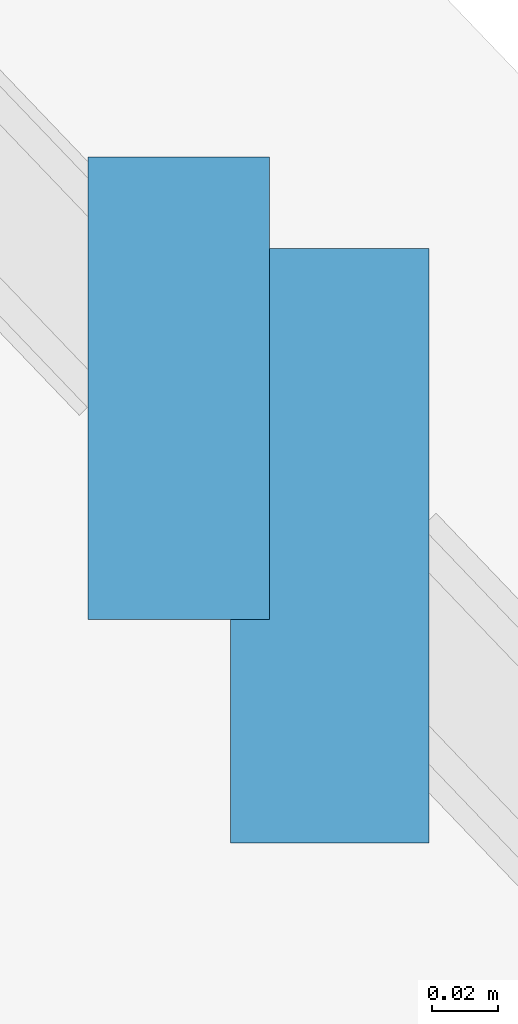
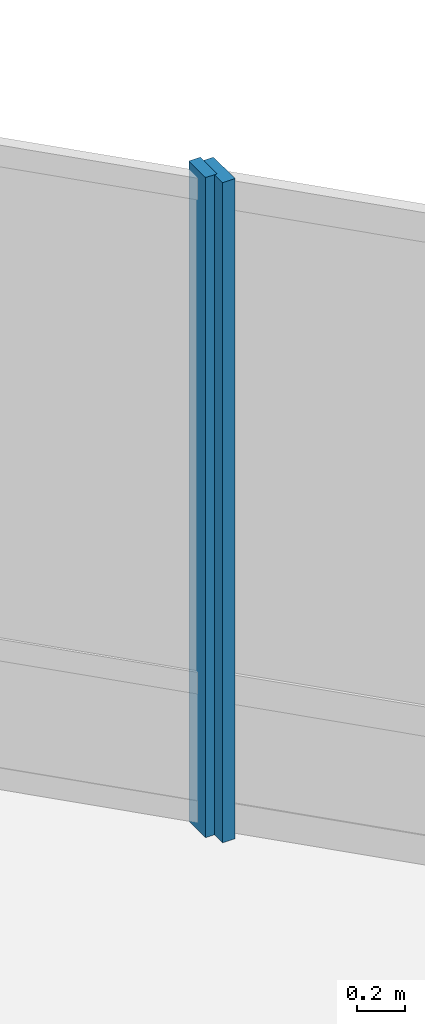
# One storey, part 5 of 18: 2 members, 2 elements without a shape of their own.
"""IFC4 building model written with IfcOpenShell, lengths in metres."""

from ifc_helpers import new_model, si_unit, direction, frame, origin, origin_2d, place, context, subcontext, project, spatial, rectangle, extrude, material, material_profile, profile_set, type_object, element, aggregate, save


model = new_model("IFC4")

# Units and contexts
model_context = context("Model", 3, precision=1e-05, world=origin(), true_north=direction((0.0, 1.0)))
body_context = subcontext(model_context, "Body", "Model", "MODEL_VIEW")
ifc_project = project(units=[si_unit("LENGTHUNIT", "METRE"), si_unit("AREAUNIT", "SQUARE_METRE"), si_unit("VOLUMEUNIT", "CUBIC_METRE"), si_unit("PLANEANGLEUNIT", "RADIAN"), si_unit("MASSUNIT", "GRAM", prefix="KILO")], contexts=[model_context])

# Site, building, storey
site_placement = place(None, origin())
site = spatial("IfcSite", under=ifc_project, at=site_placement, CompositionType="ELEMENT")
building_placement = place(site_placement, origin())
building = spatial("IfcBuilding", under=site, at=building_placement, Name="Clarverna Civic Hall", CompositionType="ELEMENT")
storey_placement = place(building_placement, frame((0.0, 0.0, 20.39990234375)))
storey = spatial("IfcBuildingStorey", under=building, at=storey_placement, Name="L05", CompositionType="ELEMENT", Elevation=20.39990234375)

# Curtain wall, member
ifc_material = material(Name="Anodised Bronze Architectural Aluminium", Category="aluminium")
curtain_wall_type = type_object("IfcCurtainWallType", Name="CW-01", PredefinedType="USERDEFINED", material=ifc_material)
curtain_wall_1_placement = place(storey_placement, origin())
curtain_wall_1 = element("IfcCurtainWall", 1, at=curtain_wall_1_placement, inside=storey, type_object=curtain_wall_type, Name="CW-01-103", ObjectType="UNITISED CURTAIN WALL", PredefinedType="USERDEFINED")
ifc_material_profile_1 = material_profile(ifc_material, rectangle(XDim=0.06005859375, YDim=0.179931640625, at=origin_2d()), Name="BRONZE 60x180")
ifc_profile_set_1 = profile_set([ifc_material_profile_1], Name="Anodised Bronze Architectural Aluminium")
member_type_1 = type_object("IfcMemberType", Name="CWM-01", PredefinedType="MULLION", material=ifc_profile_set_1)
member_1_placement = place(storey_placement, frame((161.321533203125, 108.9794921875, 0.0), z_axis=(0.0, 0.0, 1.0), x_axis=(1.0, 0.0, 0.0)))
member_1 = element("IfcMember", 2, at=member_1_placement, type_object=member_type_1, Name="CWM-01-198", PredefinedType="MULLION", context=body_context, shape_type="SweptSolid", body=[
    extrude(rectangle(XDim=0.06005859375, YDim=0.179931640625, at=origin_2d()), origin(), (0.0, 0.0, 1.0), 3.360107421875),
])
aggregate(curtain_wall_1, [member_1])

curtain_wall_2_placement = place(storey_placement, origin())
curtain_wall_2 = element("IfcCurtainWall", 3, at=curtain_wall_2_placement, inside=storey, type_object=curtain_wall_type, Name="CW-01-102", ObjectType="UNITISED CURTAIN WALL", PredefinedType="USERDEFINED")
ifc_material_profile_2 = material_profile(ifc_material, rectangle(XDim=0.054931640625, YDim=0.139892578125, at=origin_2d()), Name="BRONZE 55x140")
ifc_profile_set_2 = profile_set([ifc_material_profile_2], Name="Anodised Bronze Architectural Aluminium")
member_type_2 = type_object("IfcMemberType", Name="CWM-04", PredefinedType="MULLION", material=ifc_profile_set_2)
member_2_placement = place(storey_placement, frame((161.27587890625, 109.027099609375, 0.0), z_axis=(0.0, 0.0, 1.0), x_axis=(1.0, 0.0, 0.0)))
member_2 = element("IfcMember", 4, at=member_2_placement, type_object=member_type_2, Name="CWM-04-224", PredefinedType="MULLION", context=body_context, shape_type="SweptSolid", body=[
    extrude(rectangle(XDim=0.054931640625, YDim=0.139892578125, at=origin_2d()), origin(), (0.0, 0.0, 1.0), 3.360107421875),
])
aggregate(curtain_wall_2, [member_2])

save(model, "model.ifc")
